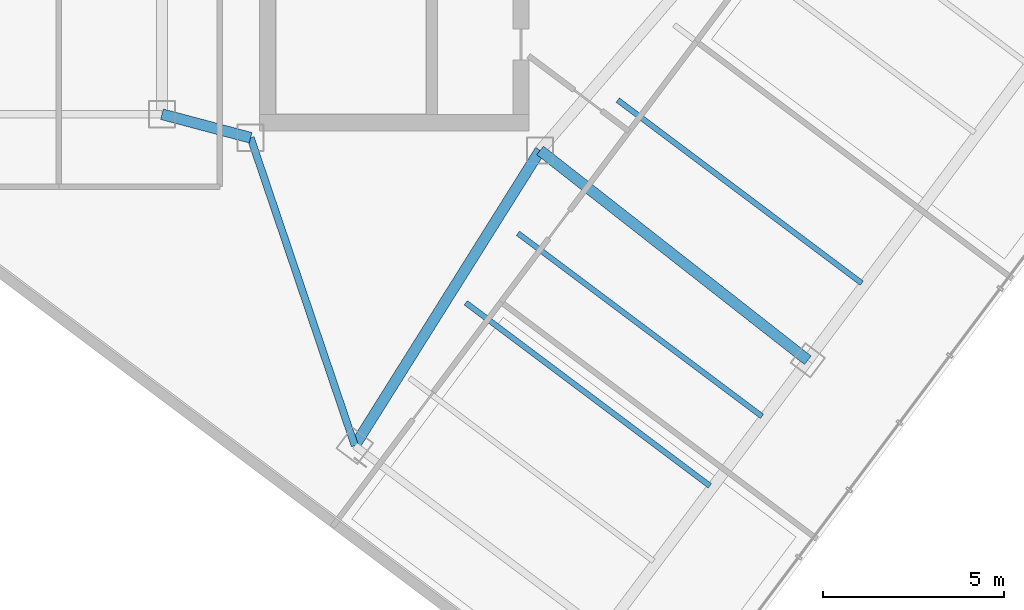
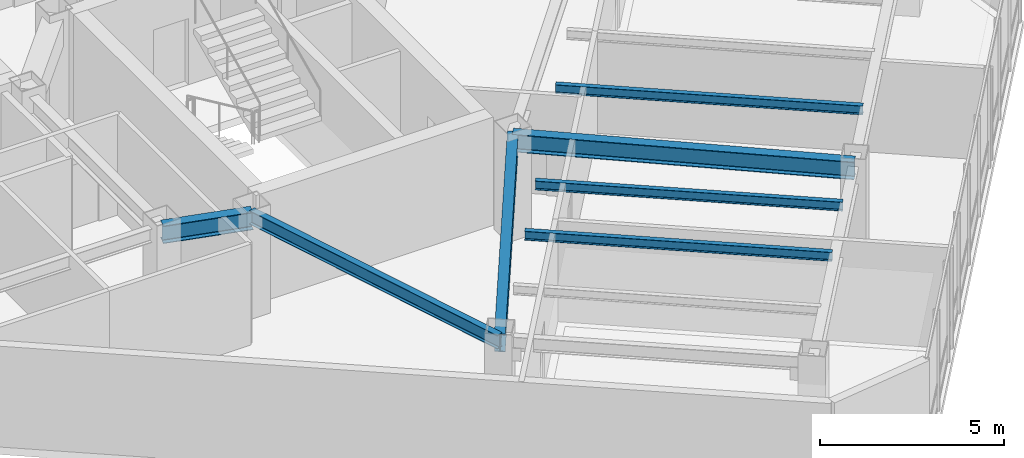
# One storey, part 3 of 26: 7 beams.
"""IFC4 building model written with IfcOpenShell, lengths in metres."""

from ifc_helpers import new_model, si_unit, direction, frame, origin, origin_2d, place, context, subcontext, project, spatial, i_section, extrude, material, material_profile, profile_set, type_object, element, save


model = new_model("IFC4")

# Units and contexts
model_context = context("Model", 3, precision=1e-05, world=origin(), true_north=direction((0.0, 1.0)))
body_context = subcontext(model_context, "Body", "Model", "MODEL_VIEW")
ifc_project = project(units=[si_unit("LENGTHUNIT", "METRE"), si_unit("AREAUNIT", "SQUARE_METRE"), si_unit("VOLUMEUNIT", "CUBIC_METRE"), si_unit("PLANEANGLEUNIT", "RADIAN"), si_unit("MASSUNIT", "GRAM", prefix="KILO")], contexts=[model_context])

# Site, building, storey
site_placement = place(None, origin())
site = spatial("IfcSite", under=ifc_project, at=site_placement, CompositionType="ELEMENT")
building_placement = place(site_placement, origin())
building = spatial("IfcBuilding", under=site, at=building_placement, Name="Hatsunagi Terrace Concourse", CompositionType="ELEMENT")
storey_placement = place(building_placement, frame((0.0, 0.0, 198.75)))
storey = spatial("IfcBuildingStorey", under=building, at=storey_placement, Name="L52", CompositionType="ELEMENT", Elevation=198.75)

# Beams
ifc_material_1 = material(Name="Steel SN490B", Category="steel")
ifc_material_profile_1 = material_profile(ifc_material_1, i_section(OverallWidth=0.300048828125, OverallDepth=0.587890625, WebThickness=0.011962890625, FlangeThickness=0.02001953125, FilletRadius=0.01806640625, at=origin_2d()), Name="H-588x300x12x20")
ifc_profile_set_1 = profile_set([ifc_material_profile_1], Name="Steel SN490B")
beam_type_1 = type_object("IfcBeamType", Name="OfficeHighGirder_H_588x300", PredefinedType="BEAM", material=ifc_profile_set_1)
beam_1_placement = place(storey_placement, frame((33.35009765625, 25.199951171875, 3.055908203125), z_axis=(0.966569840116, -0.256403479262, 0.0), x_axis=(0.256403479262, 0.966569840116, 0.0)))
element("IfcBeam", 1, at=beam_1_placement, inside=storey, type_object=beam_type_1, Name="Beam G-06 BM-L52-K2CB", PredefinedType="BEAM", context=body_context, shape_type="SweptSolid", body=[
    extrude(i_section(OverallWidth=0.300048828125, OverallDepth=0.587890625, WebThickness=0.011962890625, FlangeThickness=0.02001953125, FilletRadius=0.01806640625, at=origin_2d()), origin(), (0.0, 0.0, 1.0), 2.53466796875),
])
beam_2_placement = place(storey_placement, frame((38.679931640625, 16.0400390625, 3.055908203125), z_axis=(0.531503907049, 0.847055840421, 0.0), x_axis=(-0.847055840421, 0.531503907049, 0.0)))
element("IfcBeam", 2, at=beam_2_placement, inside=storey, type_object=beam_type_1, Name="Beam G-06 BM-L52-SET-1A", PredefinedType="BEAM", context=body_context, shape_type="SweptSolid", body=[
    extrude(i_section(OverallWidth=0.300048828125, OverallDepth=0.587890625, WebThickness=0.011962890625, FlangeThickness=0.02001953125, FilletRadius=0.01806640625, at=origin_2d()), origin(), (0.0, 0.0, 1.0), 9.63330078125),
])
beam_3_placement = place(storey_placement, frame((43.800048828125, 24.199951171875, 3.055908203125), z_axis=(0.787049441068, -0.616889923175, 0.0), x_axis=(0.616889923175, 0.787049441068, 0.0)))
element("IfcBeam", 3, at=beam_3_placement, inside=storey, type_object=beam_type_1, Name="Beam G-06 BM-L52-SE-M2", PredefinedType="BEAM", context=body_context, shape_type="SweptSolid", body=[
    extrude(i_section(OverallWidth=0.300048828125, OverallDepth=0.587890625, WebThickness=0.011962890625, FlangeThickness=0.02001953125, FilletRadius=0.01806640625, at=origin_2d()), origin(), (0.0, 0.0, 1.0), 9.402099609375),
])
ifc_material_2 = material(Name="Steel SN490B", Category="steel")
ifc_material_profile_2 = material_profile(ifc_material_2, i_section(OverallWidth=0.14990234375, OverallDepth=0.300048828125, WebThickness=0.006591796875, FlangeThickness=0.009033203125, FilletRadius=0.010986328125, at=origin_2d()), Name="H-300x150x6.5x9")
ifc_profile_set_2 = profile_set([ifc_material_profile_2], Name="Steel SN490B")
beam_type_2 = type_object("IfcBeamType", Name="OfficeJoist_H_300x150", PredefinedType="JOIST", material=ifc_profile_set_2)
for number, where, z_axis, x_axis, name in (
    (4, (41.748046875, 19.989013671875, 3.199951171875), (0.799989573921, -0.600013901187, 0.0), (0.600013901187, 0.799989573921, 0.0), "Beam J-03 J-L52-SE-2-72"),
    (5, (43.18798828125, 21.908935546875, 3.199951171875), (0.800003475366, -0.59999536615, 0.0), (0.59999536615, 0.800003475366, 0.0), "Beam J-03 J-L52-SE-2-96"),
    (6, (45.947998046875, 25.589111328125, 3.199951171875), (0.799989573921, -0.600013901187, 0.0), (0.600013901187, 0.799989573921, 0.0), "Beam J-03 J-L52-SE-2-142"),
):
    element("IfcBeam", number, at=place(storey_placement, frame(where, z_axis=z_axis, x_axis=x_axis)), inside=storey, type_object=beam_type_2, Name=name, PredefinedType="JOIST", context=body_context, shape_type="SweptSolid", body=[
        extrude(i_section(OverallWidth=0.14990234375, OverallDepth=0.300048828125, WebThickness=0.006591796875, FlangeThickness=0.009033203125, FilletRadius=0.010986328125, at=origin_2d()), origin(), (0.0, 0.0, 1.0), 8.429931640625),
    ])
ifc_material_3 = material(Name="Steel SN490B", Category="steel")
ifc_material_profile_3 = material_profile(ifc_material_3, i_section(OverallWidth=0.199951171875, OverallDepth=0.449951171875, WebThickness=0.009033203125, FlangeThickness=0.013916015625, FilletRadius=0.01611328125, at=origin_2d()), Name="H-450x200x9x14")
ifc_profile_set_3 = profile_set([ifc_material_profile_3], Name="Steel SN490B")
beam_type_3 = type_object("IfcBeamType", Name="PerimeterSpandrel_H_450x200", PredefinedType="SPANDREL", material=ifc_profile_set_3)
beam_4_placement = place(storey_placement, frame((35.800048828125, 24.550048828125, 3.125), z_axis=(0.320553412271, -0.947230441805, 0.0), x_axis=(0.947230441805, 0.320553412271, 0.0)))
element("IfcBeam", 7, at=beam_4_placement, inside=storey, type_object=beam_type_3, Name="Beam SP-02 BM-L52-SE-SW0", PredefinedType="SPANDREL", context=body_context, shape_type="SweptSolid", body=[
    extrude(i_section(OverallWidth=0.199951171875, OverallDepth=0.449951171875, WebThickness=0.009033203125, FlangeThickness=0.013916015625, FilletRadius=0.01611328125, at=origin_2d()), origin(), (0.0, 0.0, 1.0), 8.984130859375),
])

save(model, "model.ifc")
